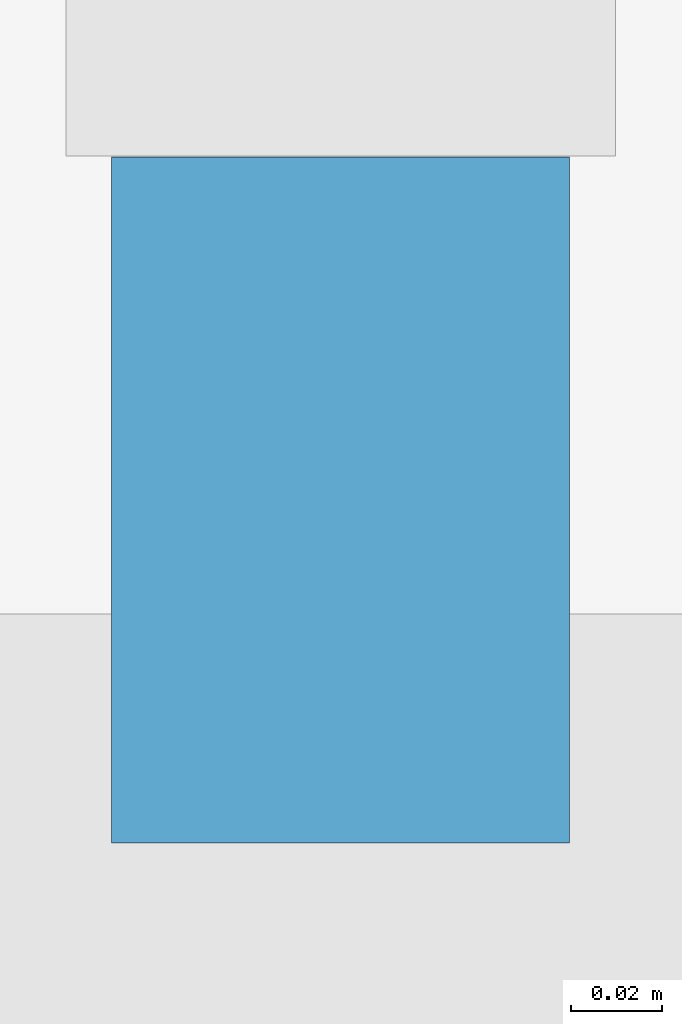
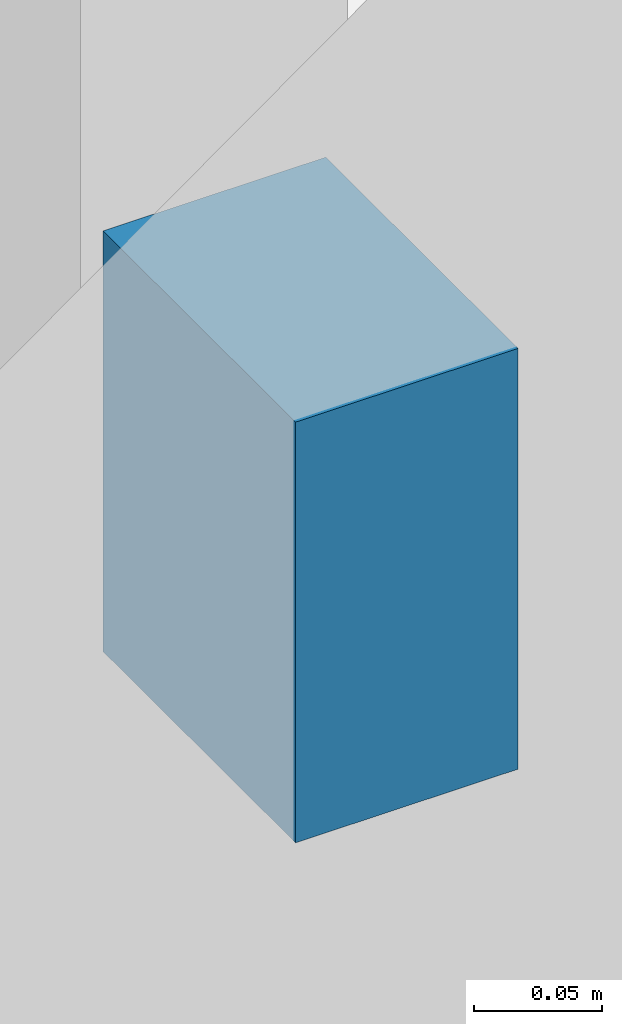
# One storey, part 134 of 198: 1 discrete accessory.
"""IFC4 building model written with IfcOpenShell, lengths in metres."""

from ifc_helpers import new_model, si_unit, direction, frame, origin, origin_2d, place, context, subcontext, project, spatial, rectangle, extrude, material, type_object, element, save


model = new_model("IFC4")

# Units and contexts
model_context = context("Model", 3, precision=1e-05, world=origin(), true_north=direction((0.0, 1.0)))
body_context = subcontext(model_context, "Body", "Model", "MODEL_VIEW")
ifc_project = project(units=[si_unit("LENGTHUNIT", "METRE"), si_unit("AREAUNIT", "SQUARE_METRE"), si_unit("VOLUMEUNIT", "CUBIC_METRE"), si_unit("PLANEANGLEUNIT", "RADIAN"), si_unit("MASSUNIT", "GRAM", prefix="KILO")], contexts=[model_context])

# Site, building, storey
site_placement = place(None, origin())
site = spatial("IfcSite", under=ifc_project, at=site_placement, CompositionType="ELEMENT")
building_placement = place(site_placement, origin())
building = spatial("IfcBuilding", under=site, at=building_placement, Name="Opaline Strait Convention Centre", CompositionType="ELEMENT")
storey_placement = place(building_placement, origin())
storey = spatial("IfcBuildingStorey", under=building, at=storey_placement, Name="L00", CompositionType="ELEMENT", Elevation=0.0)

# Discrete accessory
ifc_material = material(Name="Stainless steel 304", Category="steel")
discrete_accessory_type = type_object("IfcDiscreteAccessoryType", Name="Fin bracket 150 stainless steel", PredefinedType="BRACKET", material=ifc_material)
discrete_accessory_placement = place(storey_placement, frame((323.10009765625, 180.27490234375, 0.35009765625), z_axis=(0.0, 0.0, 1.0), x_axis=(1.0, 0.0, 0.0)))
element("IfcDiscreteAccessory", 1, at=discrete_accessory_placement, inside=storey, type_object=discrete_accessory_type, Name="Fin bracket", PredefinedType="BRACKET", context=body_context, shape_type="SweptSolid", body=[
    extrude(rectangle(XDim=0.10009765625, YDim=0.14990234375, at=origin_2d()), origin(), (0.0, 0.0, 1.0), 0.199951171875),
])

save(model, "model.ifc")
